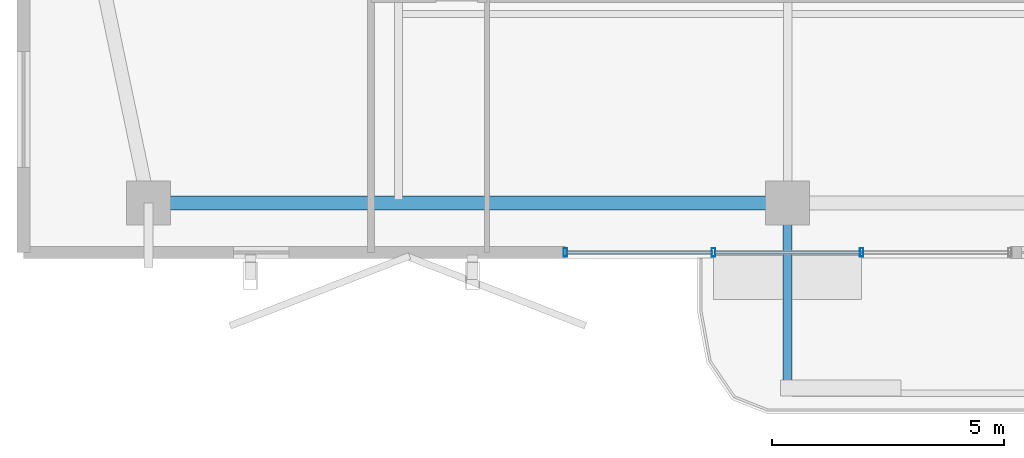
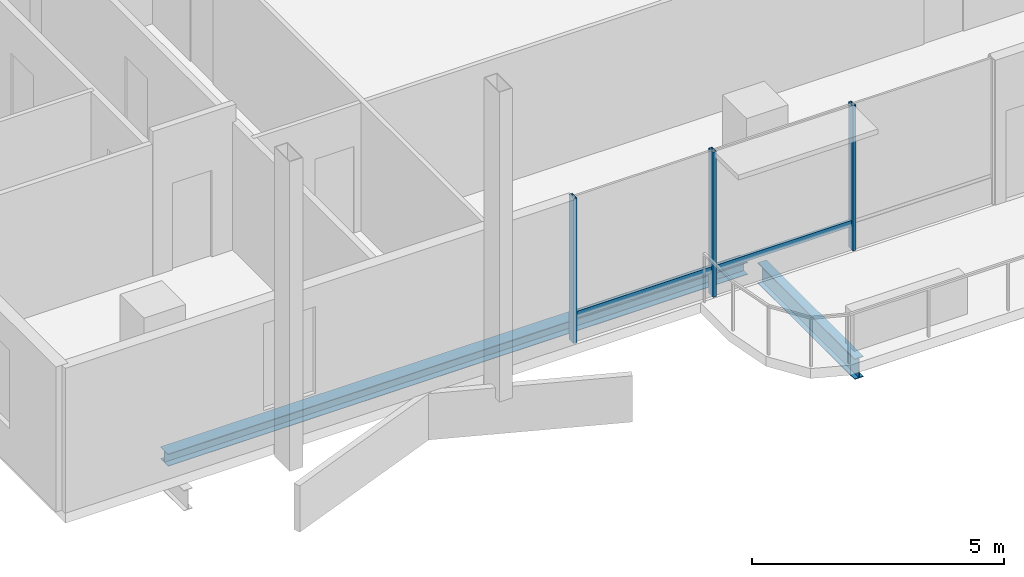
# One storey, part 3 of 20: 5 members, 2 beams, 1 element without a shape of its own.
"""IFC4 building model written with IfcOpenShell, lengths in metres."""

import ifcopenshell
import ifcopenshell.guid

model = None  # the IFC model being written
_history = None  # IfcOwnerHistory: only IFC2X3 demands one
_inside = {}  # id of a spatial element -> (the spatial element, [elements in it])
_under = {}  # id of a project, library or spatial element -> (it, [spatial elements below it])
_declared = {}  # id of a project -> (the project, [libraries it declares])
_typed = {}  # id of a type object -> (the type object, [elements of that type])
_made_of = {}  # id of a material, layer set ... -> (it, [elements and type objects made of it])


def new_model(schema):
    """Start an empty IFC model of exactly this schema.

    Asked for "IFC4X3", IfcOpenShell would pick the latest addendum, in which some entities
    have other attributes; the version numbers below select the first issue.
    IFC2X3 requires an IfcOwnerHistory on every rooted entity: one is made here for all.
    """
    global model, _history
    if schema == "IFC4X3":
        model = ifcopenshell.file(schema_version=(4, 3, 0, 0))
    else:
        model = ifcopenshell.file(schema=schema)
    _inside.clear()
    _under.clear()
    _declared.clear()
    _typed.clear()
    _made_of.clear()
    _history = None
    if model.schema == "IFC2X3":
        org = make("IfcOrganization", Name="unknown")
        user = make(
            "IfcPersonAndOrganization",
            ThePerson=make("IfcPerson", FamilyName="unknown"),
            TheOrganization=org,
        )
        app = make(
            "IfcApplication",
            ApplicationDeveloper=org,
            Version="unknown",
            ApplicationFullName="unknown",
            ApplicationIdentifier="unknown",
        )
        _history = make(
            "IfcOwnerHistory",
            OwningUser=user,
            OwningApplication=app,
            ChangeAction="ADDED",
            CreationDate=0,
        )
    return model


def make(cls, **values):
    """One entity of the class cls with the attributes given. An attribute that is None is left unset."""
    return model.create_entity(
        cls, **{name: value for name, value in values.items() if value is not None}
    )


def rooted(cls, **values):
    """An entity with a GlobalId (a new one), such as an element, a storey or a relation."""
    return make(cls, GlobalId=ifcopenshell.guid.new(), OwnerHistory=_history, **values)


def si_unit(unit_type, name, prefix=None):
    """IfcSIUnit, for example si_unit("LENGTHUNIT", "METRE", prefix="MILLI")."""
    return make("IfcSIUnit", UnitType=unit_type, Prefix=prefix, Name=name)


def assignment(units):
    """IfcUnitAssignment: the units of a project."""
    return None if units is None else make("IfcUnitAssignment", Units=units)


def point(xyz):
    """IfcCartesianPoint."""
    return None if xyz is None else make("IfcCartesianPoint", Coordinates=xyz)


def direction(xyz):
    """IfcDirection."""
    return None if xyz is None else make("IfcDirection", DirectionRatios=xyz)


def frame(location, z_axis=None, x_axis=None):
    """IfcAxis2Placement3D, a coordinate frame: its origin and axes. An axis left out is left unset."""
    return make(
        "IfcAxis2Placement3D",
        Location=point(location),
        Axis=direction(z_axis),
        RefDirection=direction(x_axis),
    )


def frame_2d(location, x_axis=None):
    """IfcAxis2Placement2D, a coordinate frame in the plane: its origin and x axis."""
    return make(
        "IfcAxis2Placement2D", Location=point(location), RefDirection=direction(x_axis)
    )


def origin():
    """The frame at (0, 0, 0) with its axes left unset."""
    return frame((0.0, 0.0, 0.0))


def origin_2d():
    """The frame at (0, 0) in the plane with its x axis left unset."""
    return frame_2d((0.0, 0.0))


def place(relative_to, where):
    """IfcLocalPlacement: puts the frame where relative to a parent placement (None: the world)."""
    return make(
        "IfcLocalPlacement", PlacementRelTo=relative_to, RelativePlacement=where
    )


def context(
    kind, dimensions, precision=None, world=None, true_north=None, identifier=None
):
    """IfcGeometricRepresentationContext, for example the 3D "Model" context."""
    return make(
        "IfcGeometricRepresentationContext",
        ContextIdentifier=identifier,
        ContextType=kind,
        CoordinateSpaceDimension=dimensions,
        Precision=precision,
        WorldCoordinateSystem=world,
        TrueNorth=true_north,
    )


def subcontext(parent, identifier, kind, view, scale=None):
    """IfcGeometricRepresentationSubContext, for example "Body" below "Model"."""
    return make(
        "IfcGeometricRepresentationSubContext",
        ContextIdentifier=identifier,
        ContextType=kind,
        ParentContext=parent,
        TargetScale=scale,
        TargetView=view,
    )


def project(units=None, contexts=None):
    """IfcProject with its units and contexts."""
    return rooted(
        "IfcProject",
        Name="project",
        RepresentationContexts=contexts,
        UnitsInContext=assignment(units),
    )


def spatial(cls, under=None, at=None, **own):
    """A site, building, storey or space (cls), placed at a placement, below another one or the project."""
    s = rooted(cls, ObjectPlacement=at, **own)
    if under is not None:
        _under.setdefault(under.id(), (under, []))[1].append(s)
    return s


def profile(cls, at=None, kind="AREA", **sizes):
    """A parametric profile (cls). Its sizes go by their IFC names, for example OverallWidth=200.0."""
    return make(cls, ProfileType=kind, Position=at, **sizes)


def hollow_rectangle(**sizes):
    """IfcRectangleHollowProfileDef."""
    return profile("IfcRectangleHollowProfileDef", **sizes)


def i_section(**sizes):
    """IfcIShapeProfileDef."""
    return profile("IfcIShapeProfileDef", **sizes)


def extrude(swept, where, along, depth):
    """IfcExtrudedAreaSolid: the profile swept, set in the frame where, extruded along a direction by depth."""
    return make(
        "IfcExtrudedAreaSolid",
        SweptArea=swept,
        Position=where,
        ExtrudedDirection=direction(along),
        Depth=depth,
    )


def shape(context_of_items, identifier, shape_type, items):
    """IfcShapeRepresentation: the items that make up one representation, for example the "Body"."""
    return make(
        "IfcShapeRepresentation",
        ContextOfItems=context_of_items,
        RepresentationIdentifier=identifier,
        RepresentationType=shape_type,
        Items=items,
    )


def material(Name=None, Category=None):
    """IfcMaterial."""
    return make("IfcMaterial", Name=Name, Category=Category)


def layer(
    of_material, thickness, ventilated=None, Name=None, Category=None, Priority=None
):
    """IfcMaterialLayer: one layer of a wall or slab, of a material (None: an air gap)."""
    return make(
        "IfcMaterialLayer",
        Material=of_material,
        LayerThickness=thickness,
        IsVentilated=ventilated,
        Name=Name,
        Category=Category,
        Priority=Priority,
    )


def layer_set(layers, Name=None):
    """IfcMaterialLayerSet."""
    return make("IfcMaterialLayerSet", MaterialLayers=layers, LayerSetName=Name)


def material_profile(
    of_material, cross_section, Name=None, Category=None, Priority=None
):
    """IfcMaterialProfile: a cross section and its material."""
    return make(
        "IfcMaterialProfile",
        Name=Name,
        Material=of_material,
        Profile=cross_section,
        Priority=Priority,
        Category=Category,
    )


def profile_set(profiles, Name=None, composite=None):
    """IfcMaterialProfileSet."""
    return make(
        "IfcMaterialProfileSet",
        Name=Name,
        MaterialProfiles=profiles,
        CompositeProfile=composite,
    )


def made_of(thing, what):
    """Note that an element or type object is made of a material, layer set ...; save() writes the relation."""
    if what is not None:
        _made_of.setdefault(what.id(), (what, []))[1].append(thing)
    return thing


def type_object(cls, material=None, **own):
    """A type object (cls), such as IfcWallType, which elements share."""
    return made_of(rooted(cls, **own), material)


def element(
    cls,
    number,
    at=None,
    inside=None,
    cuts=None,
    type_object=None,
    material=None,
    context=None,
    identifier="Body",
    shape_type=None,
    held_by="IfcProductDefinitionShape",
    body=None,
    shapes=None,
    **own,
):
    """One element of the class cls, such as IfcWall. Its Tag is "e" and its number.

    at: its placement. inside: the storey or other place that contains it. cuts: it is an
    opening in that element (IfcRelVoidsElement). A single representation is given by context,
    identifier, shape_type and body (its items); several are given by shapes. held_by: the class
    of the entity that holds the representations. save() writes the other relations.
    """
    e = rooted(cls, Tag="e%d" % number, ObjectPlacement=at, **own)
    if body is not None:
        shapes = [shape(context, identifier, shape_type, body)]
    if shapes is not None:
        e.Representation = make(held_by, Representations=shapes)
    if inside is not None:
        _inside.setdefault(inside.id(), (inside, []))[1].append(e)
    if cuts is not None:
        rooted(
            "IfcRelVoidsElement", RelatingBuildingElement=cuts, RelatedOpeningElement=e
        )
    if type_object is not None:
        _typed.setdefault(type_object.id(), (type_object, []))[1].append(e)
    return made_of(e, material)


def aggregate(whole, parts):
    """IfcRelAggregates: a whole, such as a stair, and the parts it consists of."""
    return rooted("IfcRelAggregates", RelatingObject=whole, RelatedObjects=parts)


def save(model, path):
    """Write the relations noted so far, then the file.

    IfcRelAggregates (storeys below a building ...), IfcRelContainedInSpatialStructure (elements
    in a storey), IfcRelDefinesByType, IfcRelAssociatesMaterial and IfcRelDeclares: one each for
    every whole, place, type object, material and project.
    """
    for whole, parts in _under.values():
        aggregate(whole, parts)
    for where, things in _inside.values():
        rooted(
            "IfcRelContainedInSpatialStructure",
            RelatedElements=things,
            RelatingStructure=where,
        )
    for kind, things in _typed.values():
        rooted("IfcRelDefinesByType", RelatedObjects=things, RelatingType=kind)
    for what, things in _made_of.values():
        rooted("IfcRelAssociatesMaterial", RelatedObjects=things, RelatingMaterial=what)
    for by, libraries in _declared.values():
        rooted("IfcRelDeclares", RelatingContext=by, RelatedDefinitions=libraries)
    model.write(path)


model = new_model("IFC4")

# Units and contexts
model_context = context("Model", 3, precision=1e-05, world=origin(), true_north=direction((0.0, 1.0)))
body_context = subcontext(model_context, "Body", "Model", "MODEL_VIEW")
ifc_project = project(units=[si_unit("LENGTHUNIT", "METRE"), si_unit("AREAUNIT", "SQUARE_METRE"), si_unit("VOLUMEUNIT", "CUBIC_METRE"), si_unit("PLANEANGLEUNIT", "RADIAN"), si_unit("MASSUNIT", "GRAM", prefix="KILO")], contexts=[model_context])

# Site, building, storey
site_placement = place(None, origin())
site = spatial("IfcSite", under=ifc_project, at=site_placement, CompositionType="ELEMENT")
building_placement = place(site_placement, origin())
building = spatial("IfcBuilding", under=site, at=building_placement, Name="Belovzor Exchange Tower", CompositionType="ELEMENT")
storey_placement = place(building_placement, frame((0.0, 0.0, 306.75)))
storey = spatial("IfcBuildingStorey", under=building, at=storey_placement, Name="L76", CompositionType="ELEMENT", Elevation=306.75)

# Beam
ifc_material_1 = material(Name="Steel S355", Category="steel")
ifc_material_profile_1 = material_profile(ifc_material_1, i_section(OverallWidth=0.199951171875, OverallDepth=0.5, WebThickness=0.01025390625, FlangeThickness=0.01611328125, at=origin_2d()))
ifc_profile_set_1 = profile_set([ifc_material_profile_1], Name="Steel S355")
beam_type_1 = type_object("IfcBeamType", Name="Planted Balcony Cantilever Beam IPE 500", PredefinedType="BEAM", material=ifc_profile_set_1)
beam_1_placement = place(storey_placement, frame((28.800048828125, 6.93896484375, -0.489990234375), z_axis=(0.0, -1.0, 0.0), x_axis=(1.0, 0.0, 0.0)))
element("IfcBeam", 1, at=beam_1_placement, inside=storey, type_object=beam_type_1, Name="BC-500 Planted Balcony Cantilever Beam IPE 500", PredefinedType="BEAM", context=body_context, shape_type="SweptSolid", body=[
    extrude(i_section(OverallWidth=0.199951171875, OverallDepth=0.5, WebThickness=0.01025390625, FlangeThickness=0.01611328125, at=origin_2d()), origin(), (0.0, 0.0, 1.0), 3.849853515625),
])

# Curtain wall, members
ifc_material_2 = material(Name="Anodised Aluminium Framing", Category="aluminium")
ifc_layer = layer(ifc_material_2, 0.179931640625)
ifc_layer_set = layer_set([ifc_layer], Name="Anodised Aluminium Framing")
curtain_wall_type = type_object("IfcCurtainWallType", Name="Recessed Loggia Low-Iron Triple-Glazed Curtain Wall", PredefinedType="NOTDEFINED", material=ifc_layer_set)
curtain_wall_placement = place(storey_placement, origin())
curtain_wall = element("IfcCurtainWall", 2, at=curtain_wall_placement, inside=storey, type_object=curtain_wall_type, Name="CW3 Recessed Loggia Low-Iron Triple-Glazed Curtain Wall L76", PredefinedType="NOTDEFINED")
ifc_material_3 = material(Name="Steel S355", Category="steel")
ifc_material_profile_2 = material_profile(ifc_material_3, hollow_rectangle(XDim=0.074951171875, YDim=0.179931640625, WallThickness=0.0048828125, at=origin_2d()))
ifc_profile_set_2 = profile_set([ifc_material_profile_2], Name="Steel S355")
member_type_1 = type_object("IfcMemberType", Name="Thermally Broken Curtain Wall Mullion 180x75", PredefinedType="MULLION", material=ifc_profile_set_2)
member_1_placement = place(storey_placement, frame((30.39990234375, 6.1298828125, 0.0), z_axis=(0.0, 0.0, 1.0), x_axis=(-1.0, 0.0, 0.0)))
member_1 = element("IfcMember", 3, at=member_1_placement, type_object=member_type_1, Name="CW-M180 Curtain Wall Mullion 2", PredefinedType="MULLION", context=body_context, shape_type="SweptSolid", body=[
    extrude(hollow_rectangle(XDim=0.074951171875, YDim=0.179931640625, WallThickness=0.0048828125, at=origin_2d()), origin(), (0.0, 0.0, 1.0), 3.510009765625),
])
member_2_placement = place(storey_placement, frame((27.199951171875, 6.1298828125, 0.0), z_axis=(0.0, 0.0, 1.0), x_axis=(-1.0, 0.0, 0.0)))
member_2 = element("IfcMember", 4, at=member_2_placement, type_object=member_type_1, Name="CW-M180 Curtain Wall Mullion 3", PredefinedType="MULLION", context=body_context, shape_type="SweptSolid", body=[
    extrude(hollow_rectangle(XDim=0.074951171875, YDim=0.179931640625, WallThickness=0.0048828125, at=origin_2d()), origin(), (0.0, 0.0, 1.0), 3.510009765625),
])
member_3_placement = place(storey_placement, frame((24.0, 6.1298828125, 0.0), z_axis=(0.0, 0.0, 1.0), x_axis=(-1.0, 0.0, 0.0)))
member_3 = element("IfcMember", 5, at=member_3_placement, type_object=member_type_1, Name="CW-M180 Curtain Wall Mullion 4", PredefinedType="MULLION", context=body_context, shape_type="SweptSolid", body=[
    extrude(hollow_rectangle(XDim=0.074951171875, YDim=0.179931640625, WallThickness=0.0048828125, at=origin_2d()), origin(), (0.0, 0.0, 1.0), 3.510009765625),
])
ifc_material_4 = material(Name="Steel S355", Category="steel")
ifc_material_profile_3 = material_profile(ifc_material_4, hollow_rectangle(XDim=0.06005859375, YDim=0.14990234375, WallThickness=0.00390625, at=origin_2d()))
ifc_profile_set_3 = profile_set([ifc_material_profile_3], Name="Steel S355")
member_type_2 = type_object("IfcMemberType", Name="Thermally Broken Curtain Wall Transom 150x60", PredefinedType="USERDEFINED", material=ifc_profile_set_3)
member_4_placement = place(storey_placement, frame((30.39208984375, 6.1298828125, 0.632080078125), z_axis=(-1.0, 0.0, 0.0), x_axis=(0.0, -1.0, 0.0)))
member_4 = element("IfcMember", 6, at=member_4_placement, type_object=member_type_2, Name="CW-T150 Curtain Wall Transom 2", ObjectType="TRANSOM", PredefinedType="USERDEFINED", context=body_context, shape_type="SweptSolid", body=[
    extrude(hollow_rectangle(XDim=0.06005859375, YDim=0.14990234375, WallThickness=0.00390625, at=origin_2d()), origin(), (0.0, 0.0, 1.0), 3.18408203125),
])
member_5_placement = place(storey_placement, frame((27.19189453125, 6.1298828125, 0.632080078125), z_axis=(-1.0, 0.0, 0.0), x_axis=(0.0, -1.0, 0.0)))
member_5 = element("IfcMember", 7, at=member_5_placement, type_object=member_type_2, Name="CW-T150 Curtain Wall Transom 3", ObjectType="TRANSOM", PredefinedType="USERDEFINED", context=body_context, shape_type="SweptSolid", body=[
    extrude(hollow_rectangle(XDim=0.06005859375, YDim=0.14990234375, WallThickness=0.00390625, at=origin_2d()), origin(), (0.0, 0.0, 1.0), 3.183837890625),
])
aggregate(curtain_wall, [member_1, member_2, member_3, member_4, member_5])

# Beam
ifc_material_5 = material(Name="Steel S355", Category="steel")
ifc_material_profile_4 = material_profile(ifc_material_5, i_section(OverallWidth=0.300048828125, OverallDepth=0.300048828125, WebThickness=0.008544921875, FlangeThickness=0.013916015625, at=origin_2d()))
ifc_profile_set_4 = profile_set([ifc_material_profile_4], Name="Steel S355")
beam_type_2 = type_object("IfcBeamType", Name="Zone 6 Primary Girder HEA 300", PredefinedType="BEAM", material=ifc_profile_set_4)
beam_2_placement = place(storey_placement, frame((15.260986328125, 7.199951171875, -0.389892578125), z_axis=(1.0, 0.0, 0.0), x_axis=(0.0, 1.0, 0.0)))
element("IfcBeam", 8, at=beam_2_placement, inside=storey, type_object=beam_type_2, Name="FG-Z6 Zone 6 Primary Girder HEA 300", PredefinedType="BEAM", context=body_context, shape_type="SweptSolid", body=[
    extrude(i_section(OverallWidth=0.300048828125, OverallDepth=0.300048828125, WebThickness=0.008544921875, FlangeThickness=0.013916015625, at=origin_2d()), origin(), (0.0, 0.0, 1.0), 13.278076171875),
])

save(model, "model.ifc")
